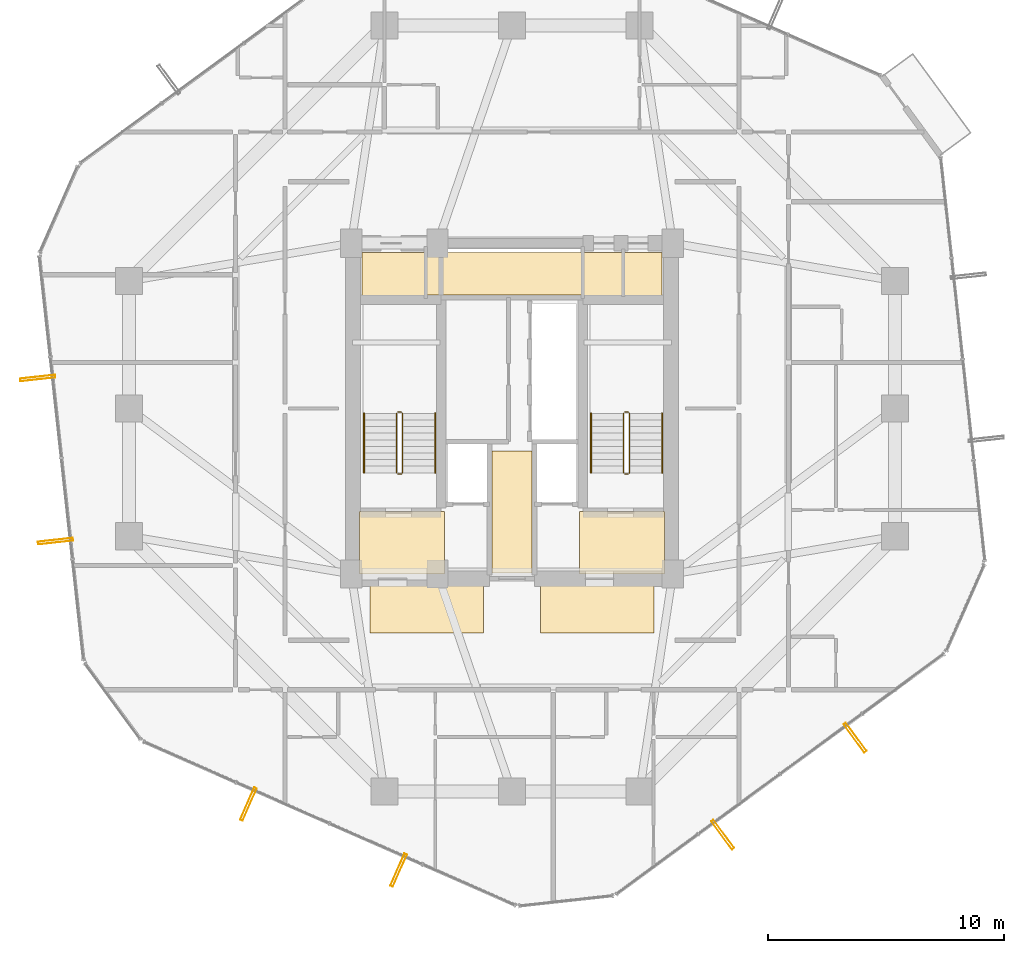
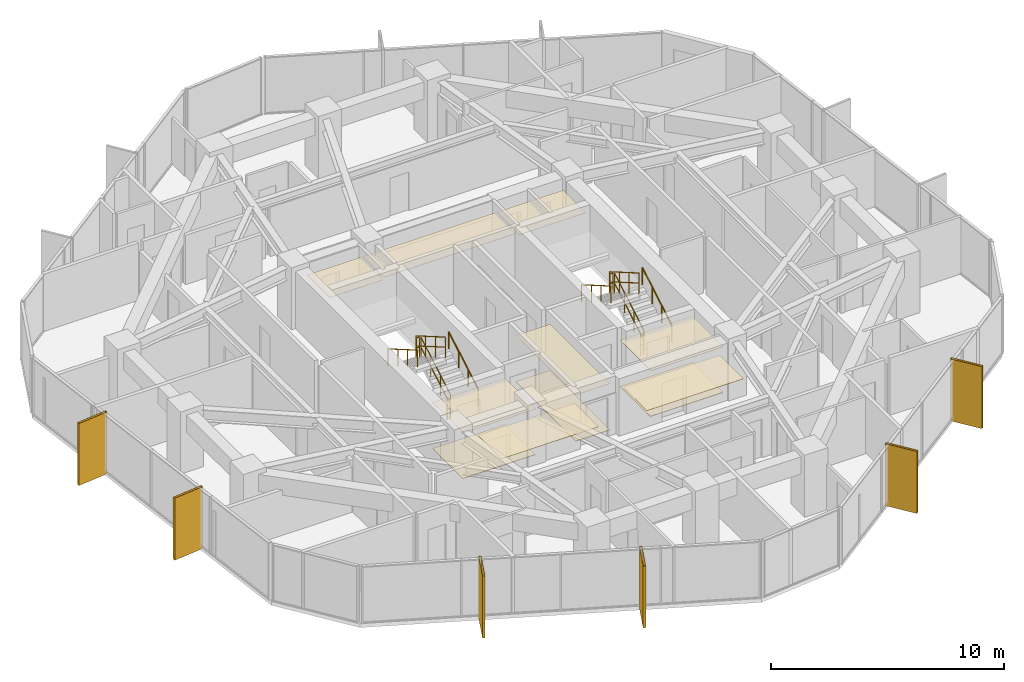
# One storey, part 33 of 34: 12 railings, 11 coverings, 6 shading devices.
"""IFC4 building model written with IfcOpenShell, lengths in metres."""

from ifc_helpers import new_model, si_unit, direction, frame, origin, origin_2d, place, context, subcontext, project, spatial, polyline, hollow_rectangle, circle, outline, extrude, material, layer, layer_set, material_profile, profile_set, type_object, element, save


model = new_model("IFC4")

# Units and contexts
model_context = context("Model", 3, precision=1e-05, world=origin(), true_north=direction((0.0, 1.0)))
body_context = subcontext(model_context, "Body", "Model", "MODEL_VIEW")
ifc_project = project(units=[si_unit("LENGTHUNIT", "METRE"), si_unit("AREAUNIT", "SQUARE_METRE"), si_unit("VOLUMEUNIT", "CUBIC_METRE"), si_unit("PLANEANGLEUNIT", "RADIAN"), si_unit("MASSUNIT", "GRAM", prefix="KILO")], contexts=[model_context])

# Site, building, storey
site_placement = place(None, origin())
site = spatial("IfcSite", under=ifc_project, at=site_placement, CompositionType="ELEMENT")
building_placement = place(site_placement, origin())
building = spatial("IfcBuilding", under=site, at=building_placement, Name="Veraguas Prism Commons", CompositionType="ELEMENT")
storey_placement = place(building_placement, frame((0.0, 0.0, 149.0)))
storey = spatial("IfcBuildingStorey", under=building, at=storey_placement, Name="L42", CompositionType="ELEMENT", Elevation=149.0)

# Shading devices
ifc_material_1 = material(Name="Anodised aluminium EN AW-6063 T6", Category="aluminium")
ifc_material_profile = material_profile(ifc_material_1, hollow_rectangle(XDim=0.1201171875, YDim=1.489990234375, WallThickness=0.006103515625, at=origin_2d()), Name="FIN120X1490X6")
ifc_profile_set = profile_set([ifc_material_profile], Name="Anodised aluminium EN AW-6063 T6")
shading_device_type = type_object("IfcShadingDeviceType", Name="Deep Pale-Metal Vertical Solar Fin 120x1490", PredefinedType="USERDEFINED", material=ifc_profile_set)
for number, where, z_axis, x_axis, name in (
    (1, (3.93212890625, 25.290283203125, -0.22998046875), (0.0, 0.0, 1.0), (0.109038633831, -0.994037512538, 0.0), "Vertical Pale-Metal Solar Fin L42-F3A"),
    (2, (4.689208984375, 18.389892578125, -0.22998046875), (0.0, 0.0, 1.0), (0.109038633831, -0.994037512538, 0.0), "Vertical Pale-Metal Solar Fin L42-F3B"),
    (3, (12.8486328125, 7.265869140625, -0.22998046875), (0.0, 0.0, 1.0), (0.915383163024, -0.402583736448, 0.0), "Vertical Pale-Metal Solar Fin L42-F4A"),
    (4, (19.202880859375, 4.47119140625, -0.22998046875), (0.0, 0.0, 1.0), (0.915383163024, -0.402583736448, 0.0), "Vertical Pale-Metal Solar Fin L42-F4B"),
    (5, (32.91650390625, 5.9755859375, -0.22998046875), (0.0, 0.0, 1.0), (0.806343453529, 0.591447575826, 0.0), "Vertical Pale-Metal Solar Fin L42-F5A"),
    (6, (38.513916015625, 10.081298828125, -0.22998046875), (0.0, 0.0, 1.0), (0.806343453529, 0.591447575826, 0.0), "Vertical Pale-Metal Solar Fin L42-F5B"),
):
    element("IfcShadingDevice", number, at=place(storey_placement, frame(where, z_axis=z_axis, x_axis=x_axis)), inside=storey, type_object=shading_device_type, Name=name, ObjectType="FIN", PredefinedType="USERDEFINED", context=body_context, shape_type="SweptSolid", body=[
        extrude(hollow_rectangle(XDim=0.1201171875, YDim=1.489990234375, WallThickness=0.006103515625, at=origin_2d()), origin(), (0.0, 0.0, 1.0), 3.25),
    ])

# Coverings
ifc_material_2 = material(Name="Acoustic gypsum board")
ifc_layer_1 = layer(ifc_material_2, 0.02490234375, Name="Perforated Acoustic Ceiling Tile 25")
ifc_layer_set_1 = layer_set([ifc_layer_1], Name="Acoustic gypsum board")
covering_type_1 = type_object("IfcCoveringType", Name="Perforated Acoustic Ceiling Tile 25", PredefinedType="USERDEFINED", material=ifc_layer_set_1)
covering_1_placement = place(storey_placement, frame((0.0, 0.0, 2.425048828125)))
element("IfcCovering", 7, at=covering_1_placement, inside=storey, type_object=covering_type_1, Name="East Lobby Acoustic Ceiling L42", ObjectType="ACOUSTIC CEILING", PredefinedType="USERDEFINED", context=body_context, shape_type="SweptSolid", body=[
    extrude(outline(polyline([(26.85009765625, 17.0), (30.449951171875, 17.0), (30.449951171875, 19.64990234375), (26.85009765625, 19.64990234375), (26.85009765625, 17.0)])), origin(), (0.0, 0.0, 1.0), 0.02490234375),
])
ifc_material_3 = material(Name="Terrazzo stone finish", Category="masonry")
ifc_layer_2 = layer(ifc_material_3, 0.030029296875, Name="Polished Terrazzo Floor Finish 30", Category="masonry")
ifc_layer_set_2 = layer_set([ifc_layer_2], Name="Terrazzo stone finish")
covering_type_2 = type_object("IfcCoveringType", Name="Polished Terrazzo Floor Finish 30", PredefinedType="FLOORING", material=ifc_layer_set_2)
covering_2_placement = place(storey_placement, origin())
element("IfcCovering", 8, at=covering_2_placement, inside=storey, type_object=covering_type_2, Name="Terrazzo Lobby Flooring L42", PredefinedType="FLOORING", context=body_context, shape_type="SweptSolid", body=[
    extrude(outline(polyline([(23.14990234375, 17.050048828125), (24.85009765625, 17.050048828125), (24.85009765625, 22.199951171875), (23.14990234375, 22.199951171875), (23.14990234375, 17.050048828125)])), origin(), (0.0, 0.0, 1.0), 0.030029296875),
])
covering_3_placement = place(storey_placement, origin())
element("IfcCovering", 9, at=covering_3_placement, inside=storey, type_object=covering_type_2, Name="West FF Lobby Terrazzo Flooring L42", PredefinedType="FLOORING", context=body_context, shape_type="SweptSolid", body=[
    extrude(outline(polyline([(17.550048828125, 17.050048828125), (21.14990234375, 17.050048828125), (21.14990234375, 19.64990234375), (17.550048828125, 19.64990234375), (17.550048828125, 17.050048828125)])), origin(), (0.0, 0.0, 1.0), 0.030029296875),
])
covering_4_placement = place(storey_placement, origin())
element("IfcCovering", 10, at=covering_4_placement, inside=storey, type_object=covering_type_2, Name="East FF Lobby Terrazzo Flooring L42", PredefinedType="FLOORING", context=body_context, shape_type="SweptSolid", body=[
    extrude(outline(polyline([(26.85009765625, 17.050048828125), (30.449951171875, 17.050048828125), (30.449951171875, 19.64990234375), (26.85009765625, 19.64990234375), (26.85009765625, 17.050048828125)])), origin(), (0.0, 0.0, 1.0), 0.030029296875),
])

# Railings
ifc_material_4 = material(Name="Stainless steel AISI 316", Category="steel")
railing_type_1 = type_object("IfcRailingType", Name="Stair and Ramp Stainless Handrail 900", PredefinedType="HANDRAIL", material=ifc_material_4)
railing_1_placement = place(storey_placement, frame((20.75, 21.280029296875, 0.16259765625)))
element("IfcRailing", 11, at=railing_1_placement, inside=storey, type_object=railing_type_1, Name="Stair Handrail ST-01 L42-1", PredefinedType="HANDRAIL", context=body_context, shape_type="SweptSolid", body=[
    extrude(circle(Radius=0.02392578125, at=origin_2d()), frame((0.0, 0.0, 0.8759765625), z_axis=(0.0, 0.864913338283, 0.50192122615), x_axis=(-1.0, 0.0, 0.0)), (0.0, 0.0, 1.0), 2.91357421875),
    extrude(circle(Radius=0.02099609375, at=origin_2d()), origin(), (0.0, 0.0, 1.0), 0.851806640625),
    extrude(circle(Radius=0.02099609375, at=origin_2d()), frame((0.0, 0.840087890625, 0.487548828125)), (0.0, 0.0, 1.0), 0.851806640625),
    extrude(circle(Radius=0.02099609375, at=origin_2d()), frame((0.0, 1.679931640625, 0.974853515625)), (0.0, 0.0, 1.0), 0.851806640625),
    extrude(circle(Radius=0.02099609375, at=origin_2d()), frame((0.0, 2.52001953125, 1.46240234375)), (0.0, 0.0, 1.0), 0.851806640625),
])
railing_2_placement = place(storey_placement, frame((17.739990234375, 23.800048828125, 1.78759765625)))
element("IfcRailing", 12, at=railing_2_placement, inside=storey, type_object=railing_type_1, Name="Stair Handrail ST-01 L42-2", PredefinedType="HANDRAIL", context=body_context, shape_type="SweptSolid", body=[
    extrude(circle(Radius=0.02392578125, at=origin_2d()), frame((0.0, 0.0, 0.8759765625), z_axis=(0.0, -0.864913338283, 0.50192122615), x_axis=(1.0, 0.0, 0.0)), (0.0, 0.0, 1.0), 2.91357421875),
    extrude(circle(Radius=0.02099609375, at=origin_2d()), origin(), (0.0, 0.0, 1.0), 0.851806640625),
    extrude(circle(Radius=0.02099609375, at=origin_2d()), frame((0.0, -0.840087890625, 0.487548828125)), (0.0, 0.0, 1.0), 0.851806640625),
    extrude(circle(Radius=0.02099609375, at=origin_2d()), frame((0.0, -1.679931640625, 0.974853515625)), (0.0, 0.0, 1.0), 0.851806640625),
    extrude(circle(Radius=0.02099609375, at=origin_2d()), frame((0.0, -2.52001953125, 1.46240234375)), (0.0, 0.0, 1.0), 0.851806640625),
])
railing_3_placement = place(storey_placement, frame((30.35009765625, 21.280029296875, 0.16259765625)))
element("IfcRailing", 13, at=railing_3_placement, inside=storey, type_object=railing_type_1, Name="Stair Handrail ST-02 L42-1", PredefinedType="HANDRAIL", context=body_context, shape_type="SweptSolid", body=[
    extrude(circle(Radius=0.02392578125, at=origin_2d()), frame((0.0, 0.0, 0.8759765625), z_axis=(0.0, 0.864913338283, 0.50192122615), x_axis=(-1.0, 0.0, 0.0)), (0.0, 0.0, 1.0), 2.91357421875),
    extrude(circle(Radius=0.02099609375, at=origin_2d()), origin(), (0.0, 0.0, 1.0), 0.851806640625),
    extrude(circle(Radius=0.02099609375, at=origin_2d()), frame((0.0, 0.840087890625, 0.487548828125)), (0.0, 0.0, 1.0), 0.851806640625),
    extrude(circle(Radius=0.02099609375, at=origin_2d()), frame((0.0, 1.679931640625, 0.974853515625)), (0.0, 0.0, 1.0), 0.851806640625),
    extrude(circle(Radius=0.02099609375, at=origin_2d()), frame((0.0, 2.52001953125, 1.46240234375)), (0.0, 0.0, 1.0), 0.851806640625),
])
railing_4_placement = place(storey_placement, frame((27.340087890625, 23.800048828125, 1.78759765625)))
element("IfcRailing", 14, at=railing_4_placement, inside=storey, type_object=railing_type_1, Name="Stair Handrail ST-02 L42-2", PredefinedType="HANDRAIL", context=body_context, shape_type="SweptSolid", body=[
    extrude(circle(Radius=0.02392578125, at=origin_2d()), frame((0.0, 0.0, 0.8759765625), z_axis=(0.0, -0.864913338283, 0.50192122615), x_axis=(1.0, 0.0, 0.0)), (0.0, 0.0, 1.0), 2.91357421875),
    extrude(circle(Radius=0.02099609375, at=origin_2d()), origin(), (0.0, 0.0, 1.0), 0.851806640625),
    extrude(circle(Radius=0.02099609375, at=origin_2d()), frame((0.0, -0.840087890625, 0.487548828125)), (0.0, 0.0, 1.0), 0.851806640625),
    extrude(circle(Radius=0.02099609375, at=origin_2d()), frame((0.0, -1.679931640625, 0.974853515625)), (0.0, 0.0, 1.0), 0.851806640625),
    extrude(circle(Radius=0.02099609375, at=origin_2d()), frame((0.0, -2.52001953125, 1.46240234375)), (0.0, 0.0, 1.0), 0.851806640625),
])
railing_type_2 = type_object("IfcRailingType", Name="Stairwell Safety Guardrail 1100", PredefinedType="GUARDRAIL", material=ifc_material_4)
railing_5_placement = place(storey_placement, frame((19.3701171875, 21.280029296875, 0.16259765625)))
element("IfcRailing", 15, at=railing_5_placement, inside=storey, type_object=railing_type_2, Name="Stair Guard ST-01 L42-1", PredefinedType="GUARDRAIL", context=body_context, shape_type="SweptSolid", body=[
    extrude(circle(Radius=0.02392578125, at=origin_2d()), frame((0.0, 0.0, 1.076171875), z_axis=(0.0, 0.864913338283, 0.50192122615), x_axis=(-1.0, 0.0, 0.0)), (0.0, 0.0, 1.0), 2.91357421875),
    extrude(circle(Radius=0.02392578125, at=origin_2d()), frame((0.0, 0.0, 0.550048828125), z_axis=(0.0, 0.864913338283, 0.50192122615), x_axis=(-1.0, 0.0, 0.0)), (0.0, 0.0, 1.0), 2.91357421875),
    extrude(circle(Radius=0.02099609375, at=origin_2d()), origin(), (0.0, 0.0, 1.0), 1.052001953125),
    extrude(circle(Radius=0.02099609375, at=origin_2d()), frame((0.0, 0.840087890625, 0.487548828125)), (0.0, 0.0, 1.0), 1.052001953125),
    extrude(circle(Radius=0.02099609375, at=origin_2d()), frame((0.0, 1.679931640625, 0.974853515625)), (0.0, 0.0, 1.0), 1.052001953125),
    extrude(circle(Radius=0.02099609375, at=origin_2d()), frame((0.0, 2.52001953125, 1.46240234375)), (0.0, 0.0, 1.0), 1.052001953125),
])
railing_6_placement = place(storey_placement, frame((19.320068359375, 23.85009765625, 1.625)))
element("IfcRailing", 16, at=railing_6_placement, inside=storey, type_object=railing_type_2, Name="Stair Guard ST-01 L42-2", PredefinedType="GUARDRAIL", context=body_context, shape_type="SweptSolid", body=[
    extrude(circle(Radius=0.02392578125, at=origin_2d()), frame((0.0, 0.0, 1.076171875), z_axis=(-1.0, 0.0, 0.0), x_axis=(0.0, -1.0, 0.0)), (0.0, 0.0, 1.0), 0.150146484375),
    extrude(circle(Radius=0.02392578125, at=origin_2d()), frame((0.0, 0.0, 0.550048828125), z_axis=(-1.0, 0.0, 0.0), x_axis=(0.0, -1.0, 0.0)), (0.0, 0.0, 1.0), 0.150146484375),
    extrude(circle(Radius=0.02099609375, at=origin_2d()), origin(), (0.0, 0.0, 1.0), 1.052001953125),
    extrude(circle(Radius=0.02099609375, at=origin_2d()), frame((-0.150146484375, 0.0, 0.0)), (0.0, 0.0, 1.0), 1.052001953125),
])
railing_7_placement = place(storey_placement, frame((19.1201171875, 23.800048828125, 1.78759765625)))
element("IfcRailing", 17, at=railing_7_placement, inside=storey, type_object=railing_type_2, Name="Stair Guard ST-01 L42-3", PredefinedType="GUARDRAIL", context=body_context, shape_type="SweptSolid", body=[
    extrude(circle(Radius=0.02392578125, at=origin_2d()), frame((0.0, 0.0, 1.076171875), z_axis=(0.0, -0.864913338283, 0.50192122615), x_axis=(1.0, 0.0, 0.0)), (0.0, 0.0, 1.0), 2.91357421875),
    extrude(circle(Radius=0.02392578125, at=origin_2d()), frame((0.0, 0.0, 0.550048828125), z_axis=(0.0, -0.864913338283, 0.50192122615), x_axis=(1.0, 0.0, 0.0)), (0.0, 0.0, 1.0), 2.91357421875),
    extrude(circle(Radius=0.02099609375, at=origin_2d()), origin(), (0.0, 0.0, 1.0), 1.052001953125),
    extrude(circle(Radius=0.02099609375, at=origin_2d()), frame((0.0, -0.840087890625, 0.487548828125)), (0.0, 0.0, 1.0), 1.052001953125),
    extrude(circle(Radius=0.02099609375, at=origin_2d()), frame((0.0, -1.679931640625, 0.974853515625)), (0.0, 0.0, 1.0), 1.052001953125),
    extrude(circle(Radius=0.02099609375, at=origin_2d()), frame((0.0, -2.52001953125, 1.46240234375)), (0.0, 0.0, 1.0), 1.052001953125),
])
railing_8_placement = place(storey_placement, frame((19.320068359375, 21.22998046875, 0.0)))
element("IfcRailing", 18, at=railing_8_placement, inside=storey, type_object=railing_type_2, Name="Stair Guard ST-01 L42-4", PredefinedType="GUARDRAIL", context=body_context, shape_type="SweptSolid", body=[
    extrude(circle(Radius=0.02392578125, at=origin_2d()), frame((0.0, 0.0, 1.076171875), z_axis=(-1.0, 0.0, 0.0), x_axis=(0.0, -1.0, 0.0)), (0.0, 0.0, 1.0), 0.150146484375),
    extrude(circle(Radius=0.02392578125, at=origin_2d()), frame((0.0, 0.0, 0.550048828125), z_axis=(-1.0, 0.0, 0.0), x_axis=(0.0, -1.0, 0.0)), (0.0, 0.0, 1.0), 0.150146484375),
    extrude(circle(Radius=0.02099609375, at=origin_2d()), origin(), (0.0, 0.0, 1.0), 1.052001953125),
    extrude(circle(Radius=0.02099609375, at=origin_2d()), frame((-0.150146484375, 0.0, 0.0)), (0.0, 0.0, 1.0), 1.052001953125),
])
railing_9_placement = place(storey_placement, frame((28.969970703125, 21.280029296875, 0.16259765625)))
element("IfcRailing", 19, at=railing_9_placement, inside=storey, type_object=railing_type_2, Name="Stair Guard ST-02 L42-1", PredefinedType="GUARDRAIL", context=body_context, shape_type="SweptSolid", body=[
    extrude(circle(Radius=0.02392578125, at=origin_2d()), frame((0.0, 0.0, 1.076171875), z_axis=(0.0, 0.864913338283, 0.50192122615), x_axis=(-1.0, 0.0, 0.0)), (0.0, 0.0, 1.0), 2.91357421875),
    extrude(circle(Radius=0.02392578125, at=origin_2d()), frame((0.0, 0.0, 0.550048828125), z_axis=(0.0, 0.864913338283, 0.50192122615), x_axis=(-1.0, 0.0, 0.0)), (0.0, 0.0, 1.0), 2.91357421875),
    extrude(circle(Radius=0.02099609375, at=origin_2d()), origin(), (0.0, 0.0, 1.0), 1.052001953125),
    extrude(circle(Radius=0.02099609375, at=origin_2d()), frame((0.0, 0.840087890625, 0.487548828125)), (0.0, 0.0, 1.0), 1.052001953125),
    extrude(circle(Radius=0.02099609375, at=origin_2d()), frame((0.0, 1.679931640625, 0.974853515625)), (0.0, 0.0, 1.0), 1.052001953125),
    extrude(circle(Radius=0.02099609375, at=origin_2d()), frame((0.0, 2.52001953125, 1.46240234375)), (0.0, 0.0, 1.0), 1.052001953125),
])
railing_10_placement = place(storey_placement, frame((28.919921875, 23.85009765625, 1.625)))
element("IfcRailing", 20, at=railing_10_placement, inside=storey, type_object=railing_type_2, Name="Stair Guard ST-02 L42-2", PredefinedType="GUARDRAIL", context=body_context, shape_type="SweptSolid", body=[
    extrude(circle(Radius=0.02392578125, at=origin_2d()), frame((0.0, 0.0, 1.076171875), z_axis=(-1.0, 0.0, 0.0), x_axis=(0.0, -1.0, 0.0)), (0.0, 0.0, 1.0), 0.14990234375),
    extrude(circle(Radius=0.02392578125, at=origin_2d()), frame((0.0, 0.0, 0.550048828125), z_axis=(-1.0, 0.0, 0.0), x_axis=(0.0, -1.0, 0.0)), (0.0, 0.0, 1.0), 0.14990234375),
    extrude(circle(Radius=0.02099609375, at=origin_2d()), origin(), (0.0, 0.0, 1.0), 1.052001953125),
    extrude(circle(Radius=0.02099609375, at=origin_2d()), frame((-0.14990234375, 0.0, 0.0)), (0.0, 0.0, 1.0), 1.052001953125),
])
railing_11_placement = place(storey_placement, frame((28.719970703125, 23.800048828125, 1.78759765625)))
element("IfcRailing", 21, at=railing_11_placement, inside=storey, type_object=railing_type_2, Name="Stair Guard ST-02 L42-3", PredefinedType="GUARDRAIL", context=body_context, shape_type="SweptSolid", body=[
    extrude(circle(Radius=0.02392578125, at=origin_2d()), frame((0.0, 0.0, 1.076171875), z_axis=(0.0, -0.864913338283, 0.50192122615), x_axis=(1.0, 0.0, 0.0)), (0.0, 0.0, 1.0), 2.91357421875),
    extrude(circle(Radius=0.02392578125, at=origin_2d()), frame((0.0, 0.0, 0.550048828125), z_axis=(0.0, -0.864913338283, 0.50192122615), x_axis=(1.0, 0.0, 0.0)), (0.0, 0.0, 1.0), 2.91357421875),
    extrude(circle(Radius=0.02099609375, at=origin_2d()), origin(), (0.0, 0.0, 1.0), 1.052001953125),
    extrude(circle(Radius=0.02099609375, at=origin_2d()), frame((0.0, -0.840087890625, 0.487548828125)), (0.0, 0.0, 1.0), 1.052001953125),
    extrude(circle(Radius=0.02099609375, at=origin_2d()), frame((0.0, -1.679931640625, 0.974853515625)), (0.0, 0.0, 1.0), 1.052001953125),
    extrude(circle(Radius=0.02099609375, at=origin_2d()), frame((0.0, -2.52001953125, 1.46240234375)), (0.0, 0.0, 1.0), 1.052001953125),
])
railing_12_placement = place(storey_placement, frame((28.919921875, 21.22998046875, 0.0)))
element("IfcRailing", 22, at=railing_12_placement, inside=storey, type_object=railing_type_2, Name="Stair Guard ST-02 L42-4", PredefinedType="GUARDRAIL", context=body_context, shape_type="SweptSolid", body=[
    extrude(circle(Radius=0.02392578125, at=origin_2d()), frame((0.0, 0.0, 1.076171875), z_axis=(-1.0, 0.0, 0.0), x_axis=(0.0, -1.0, 0.0)), (0.0, 0.0, 1.0), 0.14990234375),
    extrude(circle(Radius=0.02392578125, at=origin_2d()), frame((0.0, 0.0, 0.550048828125), z_axis=(-1.0, 0.0, 0.0), x_axis=(0.0, -1.0, 0.0)), (0.0, 0.0, 1.0), 0.14990234375),
    extrude(circle(Radius=0.02099609375, at=origin_2d()), origin(), (0.0, 0.0, 1.0), 1.052001953125),
    extrude(circle(Radius=0.02099609375, at=origin_2d()), frame((-0.14990234375, 0.0, 0.0)), (0.0, 0.0, 1.0), 1.052001953125),
])

# Coverings
ifc_layer_3 = layer(ifc_material_2, 0.02001953125, Name="Suspended Gypsum Ceiling 20")
ifc_layer_set_3 = layer_set([ifc_layer_3], Name="Acoustic gypsum board")
covering_type_3 = type_object("IfcCoveringType", Name="Suspended Gypsum Ceiling 20", PredefinedType="CEILING", material=ifc_layer_set_3)
covering_5_placement = place(storey_placement, frame((0.0, 0.0, 2.429931640625)))
element("IfcCovering", 23, at=covering_5_placement, inside=storey, type_object=covering_type_3, Name="West Lobby Suspended Gypsum Ceiling L42", PredefinedType="CEILING", context=body_context, shape_type="SweptSolid", body=[
    extrude(outline(polyline([(17.550048828125, 17.0), (21.14990234375, 17.0), (21.14990234375, 19.64990234375), (17.550048828125, 19.64990234375), (17.550048828125, 17.0)])), origin(), (0.0, 0.0, 1.0), 0.02001953125),
])
covering_6_placement = place(storey_placement, frame((0.0, 0.0, 2.429931640625)))
element("IfcCovering", 24, at=covering_6_placement, inside=storey, type_object=covering_type_3, Name="Core Lobby Acoustic Ceiling L42-1", PredefinedType="CEILING", context=body_context, shape_type="SweptSolid", body=[
    extrude(outline(polyline([(18.0, 14.5), (22.800048828125, 14.5), (22.800048828125, 16.550048828125), (18.0, 16.550048828125), (18.0, 14.5)])), origin(), (0.0, 0.0, 1.0), 0.02001953125),
])
covering_7_placement = place(storey_placement, frame((0.0, 0.0, 2.429931640625)))
element("IfcCovering", 25, at=covering_7_placement, inside=storey, type_object=covering_type_3, Name="Core Lobby Acoustic Ceiling L42-2", PredefinedType="CEILING", context=body_context, shape_type="SweptSolid", body=[
    extrude(outline(polyline([(25.199951171875, 14.5), (30.0, 14.5), (30.0, 16.550048828125), (25.199951171875, 16.550048828125), (25.199951171875, 14.5)])), origin(), (0.0, 0.0, 1.0), 0.02001953125),
])
covering_8_placement = place(storey_placement, frame((0.0, 0.0, 2.429931640625)))
element("IfcCovering", 26, at=covering_8_placement, inside=storey, type_object=covering_type_3, Name="Core Lobby Acoustic Ceiling L42-3", PredefinedType="CEILING", context=body_context, shape_type="SweptSolid", body=[
    extrude(outline(polyline([(23.14990234375, 17.050048828125), (24.85009765625, 17.050048828125), (24.85009765625, 22.199951171875), (23.14990234375, 22.199951171875), (23.14990234375, 17.050048828125)])), origin(), (0.0, 0.0, 1.0), 0.02001953125),
])
covering_9_placement = place(storey_placement, frame((0.0, 0.0, 2.429931640625)))
element("IfcCovering", 27, at=covering_9_placement, inside=storey, type_object=covering_type_3, Name="Core Lobby Acoustic Ceiling L42-4", PredefinedType="CEILING", context=body_context, shape_type="SweptSolid", body=[
    extrude(outline(polyline([(17.64990234375, 28.64990234375), (20.300048828125, 28.64990234375), (20.300048828125, 30.60009765625), (17.64990234375, 30.60009765625), (17.64990234375, 28.64990234375)])), origin(), (0.0, 0.0, 1.0), 0.02001953125),
])
covering_10_placement = place(storey_placement, frame((0.0, 0.0, 2.429931640625)))
element("IfcCovering", 28, at=covering_10_placement, inside=storey, type_object=covering_type_3, Name="Core Lobby Acoustic Ceiling L42-5", PredefinedType="CEILING", context=body_context, shape_type="SweptSolid", body=[
    extrude(outline(polyline([(27.050048828125, 28.64990234375), (30.35009765625, 28.64990234375), (30.35009765625, 30.60009765625), (27.050048828125, 30.60009765625), (27.050048828125, 28.64990234375)])), origin(), (0.0, 0.0, 1.0), 0.02001953125),
])
covering_11_placement = place(storey_placement, frame((0.0, 0.0, 2.429931640625)))
element("IfcCovering", 29, at=covering_11_placement, inside=storey, type_object=covering_type_3, Name="Core Lobby Acoustic Ceiling L42-6", PredefinedType="CEILING", context=body_context, shape_type="SweptSolid", body=[
    extrude(outline(polyline([(20.39990234375, 28.800048828125), (26.949951171875, 28.800048828125), (26.949951171875, 30.60009765625), (20.39990234375, 30.60009765625), (20.39990234375, 28.800048828125)])), origin(), (0.0, 0.0, 1.0), 0.02001953125),
])

save(model, "model.ifc")
